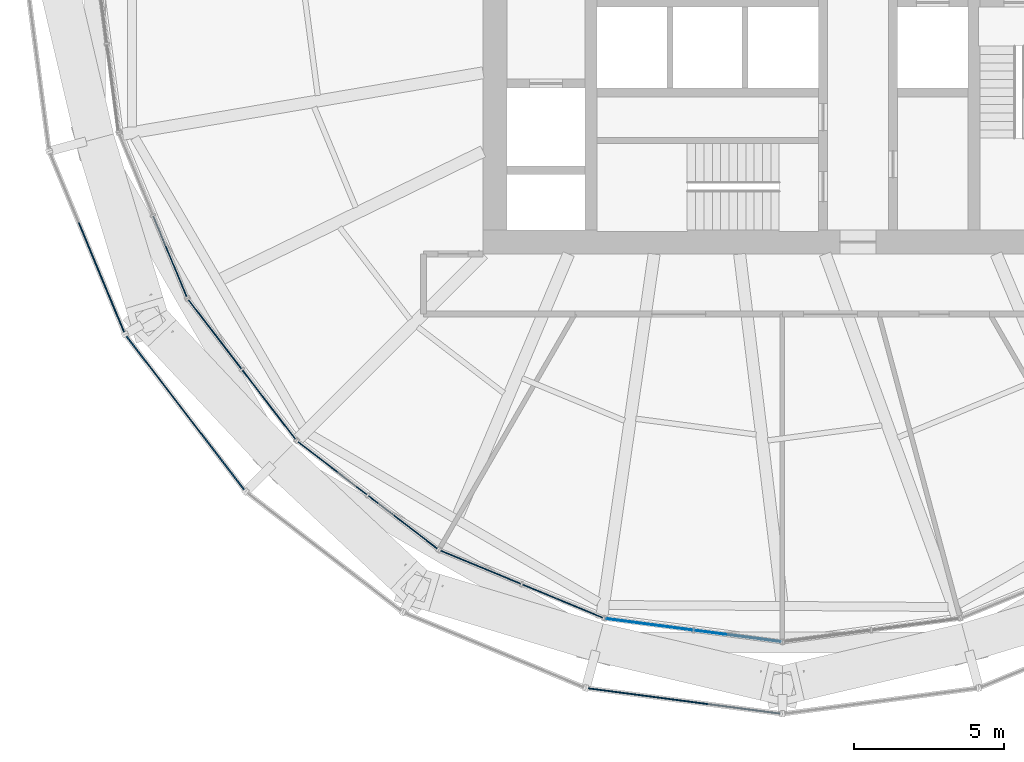
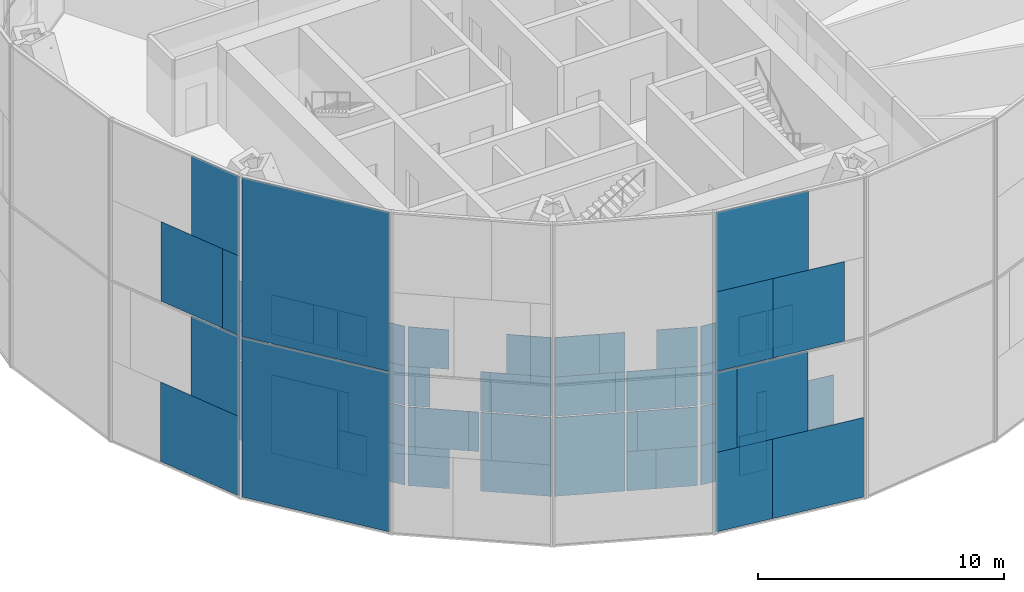
# One storey, part 10 of 22: 62 plates, 8 elements without a shape of their own.
"""IFC4 building model written with IfcOpenShell, lengths in metres."""

from ifc_helpers import new_model, si_unit, direction, frame, origin, origin_2d, place, context, subcontext, project, spatial, rectangle, extrude, material, layer, layer_set, type_object, element, aggregate, save


model = new_model("IFC4")

# Units and contexts
model_context = context("Model", 3, precision=1e-05, world=origin(), true_north=direction((0.0, 1.0)))
body_context = subcontext(model_context, "Body", "Model", "MODEL_VIEW")
ifc_project = project(units=[si_unit("LENGTHUNIT", "METRE"), si_unit("AREAUNIT", "SQUARE_METRE"), si_unit("VOLUMEUNIT", "CUBIC_METRE"), si_unit("PLANEANGLEUNIT", "RADIAN"), si_unit("MASSUNIT", "GRAM", prefix="KILO")], contexts=[model_context])

# Site, building, storey
site_placement = place(None, origin())
site = spatial("IfcSite", under=ifc_project, at=site_placement, CompositionType="ELEMENT")
building_placement = place(site_placement, origin())
building = spatial("IfcBuilding", under=site, at=building_placement, Name="Golbaran Civic Tower", CompositionType="ELEMENT")
storey_placement = place(building_placement, frame((0.0, 0.0, 37.0)))
storey = spatial("IfcBuildingStorey", under=building, at=storey_placement, Name="L08", CompositionType="ELEMENT", Elevation=37.0)

# Curtain wall, plates
ifc_material_1 = material(Name="Aluminium and glass", Category="aluminium")
curtain_wall_type_1 = type_object("IfcCurtainWallType", Name="INNER SKIN CURTAIN WALL", PredefinedType="NOTDEFINED", material=ifc_material_1)
curtain_wall_1_placement = place(storey_placement, origin())
curtain_wall_1 = element("IfcCurtainWall", 1, at=curtain_wall_1_placement, inside=storey, type_object=curtain_wall_type_1, Name="Inner skin L08 facet 14 CW1", ObjectType="INNER SKIN", PredefinedType="USERDEFINED")
ifc_material_2 = material(Name="Clear insulating glass", Category="glass")
ifc_layer_1 = layer(ifc_material_2, 0.031982421875, Name="Clear insulating glass")
ifc_layer_set_1 = layer_set([ifc_layer_1], Name="Clear insulating glass")
plate_type_1 = type_object("IfcPlateType", Name="INNER SKIN CURTAIN WALL GLAZED PANEL", PredefinedType="CURTAIN_PANEL", material=ifc_layer_set_1)
plate_1_placement = place(storey_placement, frame((-20.464599609375, -10.0810546875, 0.06494140625), z_axis=(0.0, 0.0, 1.0), x_axis=(0.382683432365, -0.923879532511, 0.0)))
plate_1 = element("IfcPlate", 2, at=plate_1_placement, type_object=plate_type_1, Name="CW1 panel 2.1", PredefinedType="CURTAIN_PANEL", context=body_context, shape_type="SweptSolid", body=[
    extrude(rectangle(XDim=2.8994140625, YDim=0.031982421875, at=origin_2d()), origin(), (0.0, 0.0, 1.0), 3.902587890625),
])
plate_2_placement = place(storey_placement, frame((-20.3876953125, -10.266357421875, 4.032470703125), z_axis=(0.0, 0.0, 1.0), x_axis=(0.382683432365, -0.923879532511, 0.0)))
plate_2 = element("IfcPlate", 3, at=plate_2_placement, type_object=plate_type_1, Name="CW1 panel 2.2 part 2", PredefinedType="CURTAIN_PANEL", context=body_context, shape_type="SweptSolid", body=[
    extrude(rectangle(XDim=2.49853515625, YDim=0.031982421875, at=origin_2d()), origin(), (0.0, 0.0, 1.0), 1.951171875),
])
plate_3_placement = place(storey_placement, frame((-20.260986328125, -10.572021484375, 5.98388671875), z_axis=(0.0, 0.0, 1.0), x_axis=(0.382683432365, -0.923879532511, 0.0)))
plate_3 = element("IfcPlate", 4, at=plate_3_placement, type_object=plate_type_1, Name="CW1 panel 2.2 part 4", PredefinedType="CURTAIN_PANEL", context=body_context, shape_type="SweptSolid", body=[
    extrude(rectangle(XDim=1.83642578125, YDim=0.031982421875, at=origin_2d()), origin(), (0.0, 0.0, 1.0), 1.951171875),
])
aggregate(curtain_wall_1, [plate_1, plate_2, plate_3])

curtain_wall_2_placement = place(storey_placement, origin())
curtain_wall_2 = element("IfcCurtainWall", 5, at=curtain_wall_2_placement, inside=storey, type_object=curtain_wall_type_1, Name="Inner skin L08 facet 15 CW1", ObjectType="INNER SKIN", PredefinedType="USERDEFINED")
plate_4_placement = place(storey_placement, frame((-18.962646484375, -12.68212890625, 0.06494140625), z_axis=(0.0, 0.0, 1.0), x_axis=(0.608761428939, -0.793353340344, 0.0)))
plate_4 = element("IfcPlate", 6, at=plate_4_placement, type_object=plate_type_1, Name="CW1 panel 1.1", PredefinedType="CURTAIN_PANEL", context=body_context, shape_type="SweptSolid", body=[
    extrude(rectangle(XDim=2.8994140625, YDim=0.031982421875, at=origin_2d()), origin(), (0.0, 0.0, 1.0), 3.902587890625),
])
plate_5_placement = place(storey_placement, frame((-19.0849609375, -12.52294921875, 4.032470703125), z_axis=(0.0, 0.0, 1.0), x_axis=(0.608761428939, -0.793353340344, 0.0)))
plate_5 = element("IfcPlate", 7, at=plate_5_placement, type_object=plate_type_1, Name="CW1 panel 1.2 part 1", PredefinedType="CURTAIN_PANEL", context=body_context, shape_type="SweptSolid", body=[
    extrude(rectangle(XDim=2.498046875, YDim=0.031982421875, at=origin_2d()), origin(), (0.0, 0.0, 1.0), 1.951171875),
])
plate_6_placement = place(storey_placement, frame((-19.2861328125, -12.2607421875, 5.98388671875), z_axis=(0.0, 0.0, 1.0), x_axis=(0.608761428939, -0.793353340344, 0.0)))
plate_6 = element("IfcPlate", 8, at=plate_6_placement, type_object=plate_type_1, Name="CW1 panel 1.2 part 3", PredefinedType="CURTAIN_PANEL", context=body_context, shape_type="SweptSolid", body=[
    extrude(rectangle(XDim=1.8369140625, YDim=0.031982421875, at=origin_2d()), origin(), (0.0, 0.0, 1.0), 1.951171875),
])
plate_7_placement = place(storey_placement, frame((-17.67529296875, -14.360107421875, 0.06494140625), z_axis=(0.0, 0.0, 1.0), x_axis=(0.608761428939, -0.793353340344, 0.0)))
plate_7 = element("IfcPlate", 9, at=plate_7_placement, type_object=plate_type_1, Name="CW1 panel 2.1 part 1", PredefinedType="CURTAIN_PANEL", context=body_context, shape_type="SweptSolid", body=[
    extrude(rectangle(XDim=1.199951171875, YDim=0.031982421875, at=origin_2d()), origin(), (0.0, 0.0, 1.0), 1.951171875),
])
plate_8_placement = place(storey_placement, frame((-17.9091796875, -14.055419921875, 2.016357421875), z_axis=(0.0, 0.0, 1.0), x_axis=(0.608761428939, -0.793353340344, 0.0)))
plate_8 = element("IfcPlate", 10, at=plate_8_placement, type_object=plate_type_1, Name="CW1 panel 2.1 part 3", PredefinedType="CURTAIN_PANEL", context=body_context, shape_type="SweptSolid", body=[
    extrude(rectangle(XDim=0.431884765625, YDim=0.031982421875, at=origin_2d()), origin(), (0.0, 0.0, 1.0), 1.951171875),
])
plate_9_placement = place(storey_placement, frame((-16.54931640625, -15.827392578125, 4.032470703125), z_axis=(0.0, 0.0, 1.0), x_axis=(0.608761428939, -0.793353340344, 0.0)))
plate_9 = element("IfcPlate", 11, at=plate_9_placement, type_object=plate_type_1, Name="CW1 panel 2.2 part 2", PredefinedType="CURTAIN_PANEL", context=body_context, shape_type="SweptSolid", body=[
    extrude(rectangle(XDim=0.8994140625, YDim=0.031982421875, at=origin_2d()), origin(), (0.0, 0.0, 1.0), 1.951171875),
])
plate_10_placement = place(storey_placement, frame((-16.78515625, -15.52001953125, 5.98388671875), z_axis=(0.0, 0.0, 1.0), x_axis=(0.608761428939, -0.793353340344, 0.0)))
plate_10 = element("IfcPlate", 12, at=plate_10_placement, type_object=plate_type_1, Name="CW1 panel 2.2 part 4", PredefinedType="CURTAIN_PANEL", context=body_context, shape_type="SweptSolid", body=[
    extrude(rectangle(XDim=1.674560546875, YDim=0.031982421875, at=origin_2d()), origin(), (0.0, 0.0, 1.0), 1.951171875),
])

curtain_wall_3_placement = place(storey_placement, origin())
curtain_wall_3 = element("IfcCurtainWall", 13, at=curtain_wall_3_placement, inside=storey, type_object=curtain_wall_type_1, Name="Inner skin L08 facet 16 CW1", ObjectType="INNER SKIN", PredefinedType="USERDEFINED")
plate_11_placement = place(storey_placement, frame((-14.055419921875, -17.908935546875, 2.016357421875), z_axis=(0.0, 0.0, 1.0), x_axis=(0.793353340344, -0.608761428939, 0.0)))
plate_11 = element("IfcPlate", 14, at=plate_11_placement, type_object=plate_type_1, Name="CW1 panel 1.1 part 4", PredefinedType="CURTAIN_PANEL", context=body_context, shape_type="SweptSolid", body=[
    extrude(rectangle(XDim=0.4326171875, YDim=0.031982421875, at=origin_2d()), origin(), (0.0, 0.0, 1.0), 1.951171875),
])
plate_12_placement = place(storey_placement, frame((-15.827392578125, -16.54931640625, 4.032470703125), z_axis=(0.0, 0.0, 1.0), x_axis=(0.793353340344, -0.608761428939, 0.0)))
plate_12 = element("IfcPlate", 15, at=plate_12_placement, type_object=plate_type_1, Name="CW1 panel 1.2 part 1", PredefinedType="CURTAIN_PANEL", context=body_context, shape_type="SweptSolid", body=[
    extrude(rectangle(XDim=0.89990234375, YDim=0.031982421875, at=origin_2d()), origin(), (0.0, 0.0, 1.0), 1.951171875),
])
plate_13_placement = place(storey_placement, frame((-15.519775390625, -16.785400390625, 5.98388671875), z_axis=(0.0, 0.0, 1.0), x_axis=(0.793353340344, -0.608761428939, 0.0)))
plate_13 = element("IfcPlate", 16, at=plate_13_placement, type_object=plate_type_1, Name="CW1 panel 1.2 part 3", PredefinedType="CURTAIN_PANEL", context=body_context, shape_type="SweptSolid", body=[
    extrude(rectangle(XDim=1.675048828125, YDim=0.031982421875, at=origin_2d()), origin(), (0.0, 0.0, 1.0), 1.951171875),
])
plate_14_placement = place(storey_placement, frame((-12.68212890625, -18.962646484375, 0.06494140625), z_axis=(0.0, 0.0, 1.0), x_axis=(0.793353340344, -0.608761428939, 0.0)))
plate_14 = element("IfcPlate", 17, at=plate_14_placement, type_object=plate_type_1, Name="CW1 panel 2.1", PredefinedType="CURTAIN_PANEL", context=body_context, shape_type="SweptSolid", body=[
    extrude(rectangle(XDim=2.8994140625, YDim=0.031982421875, at=origin_2d()), origin(), (0.0, 0.0, 1.0), 3.902587890625),
])
plate_15_placement = place(storey_placement, frame((-12.523193359375, -19.084716796875, 4.032470703125), z_axis=(0.0, 0.0, 1.0), x_axis=(0.793353340344, -0.608761428939, 0.0)))
plate_15 = element("IfcPlate", 18, at=plate_15_placement, type_object=plate_type_1, Name="CW1 panel 2.2 part 2", PredefinedType="CURTAIN_PANEL", context=body_context, shape_type="SweptSolid", body=[
    extrude(rectangle(XDim=2.49853515625, YDim=0.031982421875, at=origin_2d()), origin(), (0.0, 0.0, 1.0), 1.951171875),
])
plate_16_placement = place(storey_placement, frame((-12.260498046875, -19.2861328125, 5.98388671875), z_axis=(0.0, 0.0, 1.0), x_axis=(0.793353340344, -0.608761428939, 0.0)))
plate_16 = element("IfcPlate", 19, at=plate_16_placement, type_object=plate_type_1, Name="CW1 panel 2.2 part 4", PredefinedType="CURTAIN_PANEL", context=body_context, shape_type="SweptSolid", body=[
    extrude(rectangle(XDim=1.83642578125, YDim=0.031982421875, at=origin_2d()), origin(), (0.0, 0.0, 1.0), 1.951171875),
])

curtain_wall_4_placement = place(storey_placement, origin())
curtain_wall_4 = element("IfcCurtainWall", 20, at=curtain_wall_4_placement, inside=storey, type_object=curtain_wall_type_1, Name="Inner skin L08 facet 17 CW1", ObjectType="INNER SKIN", PredefinedType="USERDEFINED")
plate_17_placement = place(storey_placement, frame((-10.0810546875, -20.464599609375, 0.06494140625), z_axis=(0.0, 0.0, 1.0), x_axis=(0.923879532511, -0.382683432365, 0.0)))
plate_17 = element("IfcPlate", 21, at=plate_17_placement, type_object=plate_type_1, Name="CW1 panel 1.1", PredefinedType="CURTAIN_PANEL", context=body_context, shape_type="SweptSolid", body=[
    extrude(rectangle(XDim=2.8994140625, YDim=0.031982421875, at=origin_2d()), origin(), (0.0, 0.0, 1.0), 3.902587890625),
])
plate_18_placement = place(storey_placement, frame((-10.2666015625, -20.3876953125, 4.032470703125), z_axis=(0.0, 0.0, 1.0), x_axis=(0.923879532511, -0.382683432365, 0.0)))
plate_18 = element("IfcPlate", 22, at=plate_18_placement, type_object=plate_type_1, Name="CW1 panel 1.2 part 1", PredefinedType="CURTAIN_PANEL", context=body_context, shape_type="SweptSolid", body=[
    extrude(rectangle(XDim=2.498046875, YDim=0.031982421875, at=origin_2d()), origin(), (0.0, 0.0, 1.0), 1.951171875),
])
plate_19_placement = place(storey_placement, frame((-10.57177734375, -20.26123046875, 5.98388671875), z_axis=(0.0, 0.0, 1.0), x_axis=(0.923879532511, -0.382683432365, 0.0)))
plate_19 = element("IfcPlate", 23, at=plate_19_placement, type_object=plate_type_1, Name="CW1 panel 1.2 part 3", PredefinedType="CURTAIN_PANEL", context=body_context, shape_type="SweptSolid", body=[
    extrude(rectangle(XDim=1.8369140625, YDim=0.031982421875, at=origin_2d()), origin(), (0.0, 0.0, 1.0), 1.951171875),
])
plate_20_placement = place(storey_placement, frame((-8.127197265625, -21.273681640625, 0.06494140625), z_axis=(0.0, 0.0, 1.0), x_axis=(0.923879532511, -0.382683432365, 0.0)))
plate_20 = element("IfcPlate", 24, at=plate_20_placement, type_object=plate_type_1, Name="CW1 panel 2.1 part 1", PredefinedType="CURTAIN_PANEL", context=body_context, shape_type="SweptSolid", body=[
    extrude(rectangle(XDim=1.199951171875, YDim=0.031982421875, at=origin_2d()), origin(), (0.0, 0.0, 1.0), 1.951171875),
])
plate_21_placement = place(storey_placement, frame((-8.48193359375, -21.126708984375, 2.016357421875), z_axis=(0.0, 0.0, 1.0), x_axis=(0.923879532511, -0.382683432365, 0.0)))
plate_21 = element("IfcPlate", 25, at=plate_21_placement, type_object=plate_type_1, Name="CW1 panel 2.1 part 3", PredefinedType="CURTAIN_PANEL", context=body_context, shape_type="SweptSolid", body=[
    extrude(rectangle(XDim=0.431884765625, YDim=0.031982421875, at=origin_2d()), origin(), (0.0, 0.0, 1.0), 1.951171875),
])
plate_22_placement = place(storey_placement, frame((-6.418212890625, -21.981689453125, 4.032470703125), z_axis=(0.0, 0.0, 1.0), x_axis=(0.923879532511, -0.382683432365, 0.0)))
plate_22 = element("IfcPlate", 26, at=plate_22_placement, type_object=plate_type_1, Name="CW1 panel 2.2 part 2", PredefinedType="CURTAIN_PANEL", context=body_context, shape_type="SweptSolid", body=[
    extrude(rectangle(XDim=0.8994140625, YDim=0.031982421875, at=origin_2d()), origin(), (0.0, 0.0, 1.0), 1.951171875),
])
plate_23_placement = place(storey_placement, frame((-6.7763671875, -21.833251953125, 5.98388671875), z_axis=(0.0, 0.0, 1.0), x_axis=(0.923879532511, -0.382683432365, 0.0)))
plate_23 = element("IfcPlate", 27, at=plate_23_placement, type_object=plate_type_1, Name="CW1 panel 2.2 part 4", PredefinedType="CURTAIN_PANEL", context=body_context, shape_type="SweptSolid", body=[
    extrude(rectangle(XDim=1.674560546875, YDim=0.031982421875, at=origin_2d()), origin(), (0.0, 0.0, 1.0), 1.951171875),
])

curtain_wall_5_placement = place(storey_placement, origin())
curtain_wall_5 = element("IfcCurtainWall", 28, at=curtain_wall_5_placement, inside=storey, type_object=curtain_wall_type_1, Name="Inner skin L08 facet 18 CW1", ObjectType="INNER SKIN", PredefinedType="USERDEFINED")
plate_24_placement = place(storey_placement, frame((-3.59814453125, -22.4873046875, 0.06494140625), z_axis=(0.0, 0.0, 1.0), x_axis=(0.991444861365, -0.130526192289, 0.0)))
plate_24 = element("IfcPlate", 29, at=plate_24_placement, type_object=plate_type_1, Name="CW1 panel 1.1 part 2", PredefinedType="CURTAIN_PANEL", context=body_context, shape_type="SweptSolid", body=[
    extrude(rectangle(XDim=1.199462890625, YDim=0.031982421875, at=origin_2d()), origin(), (0.0, 0.0, 1.0), 1.951171875),
])
plate_25_placement = place(storey_placement, frame((-3.218017578125, -22.537353515625, 2.016357421875), z_axis=(0.0, 0.0, 1.0), x_axis=(0.991444861365, -0.130526192289, 0.0)))
plate_25 = element("IfcPlate", 30, at=plate_25_placement, type_object=plate_type_1, Name="CW1 panel 1.1 part 4", PredefinedType="CURTAIN_PANEL", context=body_context, shape_type="SweptSolid", body=[
    extrude(rectangle(XDim=0.4326171875, YDim=0.031982421875, at=origin_2d()), origin(), (0.0, 0.0, 1.0), 1.951171875),
])
plate_26_placement = place(storey_placement, frame((-5.43212890625, -22.245849609375, 4.032470703125), z_axis=(0.0, 0.0, 1.0), x_axis=(0.991444861365, -0.130526192289, 0.0)))
plate_26 = element("IfcPlate", 31, at=plate_26_placement, type_object=plate_type_1, Name="CW1 panel 1.2 part 1", PredefinedType="CURTAIN_PANEL", context=body_context, shape_type="SweptSolid", body=[
    extrude(rectangle(XDim=0.89990234375, YDim=0.031982421875, at=origin_2d()), origin(), (0.0, 0.0, 1.0), 1.951171875),
])
plate_27_placement = place(storey_placement, frame((-5.0478515625, -22.29638671875, 5.98388671875), z_axis=(0.0, 0.0, 1.0), x_axis=(0.991444861365, -0.130526192289, 0.0)))
plate_27 = element("IfcPlate", 32, at=plate_27_placement, type_object=plate_type_1, Name="CW1 panel 1.2 part 3", PredefinedType="CURTAIN_PANEL", context=body_context, shape_type="SweptSolid", body=[
    extrude(rectangle(XDim=1.675048828125, YDim=0.031982421875, at=origin_2d()), origin(), (0.0, 0.0, 1.0), 1.951171875),
])
plate_28_placement = place(storey_placement, frame((-1.501708984375, -22.76318359375, 0.06494140625), z_axis=(0.0, 0.0, 1.0), x_axis=(0.991444861365, -0.130526192289, 0.0)))
plate_28 = element("IfcPlate", 33, at=plate_28_placement, type_object=plate_type_1, Name="CW1 panel 2.1", PredefinedType="CURTAIN_PANEL", context=body_context, shape_type="SweptSolid", body=[
    extrude(rectangle(XDim=2.8994140625, YDim=0.031982421875, at=origin_2d()), origin(), (0.0, 0.0, 1.0), 3.902587890625),
])

# Plate
ifc_material_3 = material(Name="Aluminium faced opaque infill panel", Category="aluminium")
ifc_layer_2 = layer(ifc_material_3, 0.031982421875, Name="Aluminium faced opaque infill panel")
ifc_layer_set_2 = layer_set([ifc_layer_2], Name="Aluminium faced opaque infill panel")
plate_type_2 = type_object("IfcPlateType", Name="INNER SKIN CURTAIN WALL OPAQUE INFILL PANEL", PredefinedType="CURTAIN_PANEL", material=ifc_layer_set_2)
plate_29_placement = place(storey_placement, frame((-18.202392578125, -13.673095703125, 4.032470703125), z_axis=(0.0, 0.0, 1.0), x_axis=(0.608761428939, -0.793353340344, 0.0)))
plate_29 = element("IfcPlate", 34, at=plate_29_placement, type_object=plate_type_2, Name="CW1 infill panel 1.2 part 2", PredefinedType="CURTAIN_PANEL", context=body_context, shape_type="SweptSolid", body=[
    extrude(rectangle(XDim=0.401611328125, YDim=0.031982421875, at=origin_2d()), origin(), (0.0, 0.0, 1.0), 1.951171875),
])

plate_30_placement = place(storey_placement, frame((-18.403564453125, -13.410888671875, 5.98388671875), z_axis=(0.0, 0.0, 1.0), x_axis=(0.608761428939, -0.793353340344, 0.0)))
plate_30 = element("IfcPlate", 35, at=plate_30_placement, type_object=plate_type_2, Name="CW1 infill panel 1.2 part 4", PredefinedType="CURTAIN_PANEL", context=body_context, shape_type="SweptSolid", body=[
    extrude(rectangle(XDim=1.0625, YDim=0.031982421875, at=origin_2d()), origin(), (0.0, 0.0, 1.0), 1.951171875),
])

plate_31_placement = place(storey_placement, frame((-16.792724609375, -15.51025390625, 0.06494140625), z_axis=(0.0, 0.0, 1.0), x_axis=(0.608761428939, -0.793353340344, 0.0)))
plate_31 = element("IfcPlate", 36, at=plate_31_placement, type_object=plate_type_2, Name="CW1 infill panel 2.1 part 2", PredefinedType="CURTAIN_PANEL", context=body_context, shape_type="SweptSolid", body=[
    extrude(rectangle(XDim=1.699462890625, YDim=0.031982421875, at=origin_2d()), origin(), (0.0, 0.0, 1.0), 1.951171875),
])

plate_32_placement = place(storey_placement, frame((-17.026611328125, -15.20556640625, 2.016357421875), z_axis=(0.0, 0.0, 1.0), x_axis=(0.608761428939, -0.793353340344, 0.0)))
plate_32 = element("IfcPlate", 37, at=plate_32_placement, type_object=plate_type_2, Name="CW1 infill panel 2.1 part 4", PredefinedType="CURTAIN_PANEL", context=body_context, shape_type="SweptSolid", body=[
    extrude(rectangle(XDim=2.467529296875, YDim=0.031982421875, at=origin_2d()), origin(), (0.0, 0.0, 1.0), 1.951171875),
])

plate_33_placement = place(storey_placement, frame((-17.431884765625, -14.67724609375, 4.032470703125), z_axis=(0.0, 0.0, 1.0), x_axis=(0.608761428939, -0.793353340344, 0.0)))
plate_33 = element("IfcPlate", 38, at=plate_33_placement, type_object=plate_type_2, Name="CW1 infill panel 2.2 part 1", PredefinedType="CURTAIN_PANEL", context=body_context, shape_type="SweptSolid", body=[
    extrude(rectangle(XDim=2.0, YDim=0.031982421875, at=origin_2d()), origin(), (0.0, 0.0, 1.0), 1.951171875),
])

plate_34_placement = place(storey_placement, frame((-17.667724609375, -14.369873046875, 5.98388671875), z_axis=(0.0, 0.0, 1.0), x_axis=(0.608761428939, -0.793353340344, 0.0)))
plate_34 = element("IfcPlate", 39, at=plate_34_placement, type_object=plate_type_2, Name="CW1 infill panel 2.2 part 3", PredefinedType="CURTAIN_PANEL", context=body_context, shape_type="SweptSolid", body=[
    extrude(rectangle(XDim=1.22509765625, YDim=0.031982421875, at=origin_2d()), origin(), (0.0, 0.0, 1.0), 1.951171875),
])

aggregate(curtain_wall_2, [plate_4, plate_5, plate_29, plate_6, plate_30, plate_7, plate_31, plate_8, plate_32, plate_33, plate_9, plate_34, plate_10])

plate_35_placement = place(storey_placement, frame((-15.510009765625, -16.79296875, 0.06494140625), z_axis=(0.0, 0.0, 1.0), x_axis=(0.793353340344, -0.608761428939, 0.0)))
plate_35 = element("IfcPlate", 40, at=plate_35_placement, type_object=plate_type_2, Name="CW1 infill panel 1.1 part 1", PredefinedType="CURTAIN_PANEL", context=body_context, shape_type="SweptSolid", body=[
    extrude(rectangle(XDim=1.699951171875, YDim=0.031982421875, at=origin_2d()), origin(), (0.0, 0.0, 1.0), 1.951171875),
])

plate_36_placement = place(storey_placement, frame((-15.205810546875, -17.0263671875, 2.016357421875), z_axis=(0.0, 0.0, 1.0), x_axis=(0.793353340344, -0.608761428939, 0.0)))
plate_36 = element("IfcPlate", 41, at=plate_36_placement, type_object=plate_type_2, Name="CW1 infill panel 1.1 part 3", PredefinedType="CURTAIN_PANEL", context=body_context, shape_type="SweptSolid", body=[
    extrude(rectangle(XDim=2.467041015625, YDim=0.031982421875, at=origin_2d()), origin(), (0.0, 0.0, 1.0), 1.951171875),
])

plate_37_placement = place(storey_placement, frame((-13.67333984375, -18.2021484375, 4.032470703125), z_axis=(0.0, 0.0, 1.0), x_axis=(0.793353340344, -0.608761428939, 0.0)))
plate_37 = element("IfcPlate", 42, at=plate_37_placement, type_object=plate_type_2, Name="CW1 infill panel 2.2 part 1", PredefinedType="CURTAIN_PANEL", context=body_context, shape_type="SweptSolid", body=[
    extrude(rectangle(XDim=0.40087890625, YDim=0.031982421875, at=origin_2d()), origin(), (0.0, 0.0, 1.0), 1.951171875),
])

aggregate(curtain_wall_3, [plate_35, plate_36, plate_11, plate_12, plate_13, plate_14, plate_37, plate_15, plate_16])

plate_38_placement = place(storey_placement, frame((-8.927001953125, -20.9423828125, 4.032470703125), z_axis=(0.0, 0.0, 1.0), x_axis=(0.923879532511, -0.382683432365, 0.0)))
plate_38 = element("IfcPlate", 43, at=plate_38_placement, type_object=plate_type_2, Name="CW1 infill panel 1.2 part 2", PredefinedType="CURTAIN_PANEL", context=body_context, shape_type="SweptSolid", body=[
    extrude(rectangle(XDim=0.401611328125, YDim=0.031982421875, at=origin_2d()), origin(), (0.0, 0.0, 1.0), 1.951171875),
])

plate_39_placement = place(storey_placement, frame((-9.232421875, -20.81591796875, 5.98388671875), z_axis=(0.0, 0.0, 1.0), x_axis=(0.923879532511, -0.382683432365, 0.0)))
plate_39 = element("IfcPlate", 44, at=plate_39_placement, type_object=plate_type_2, Name="CW1 infill panel 1.2 part 4", PredefinedType="CURTAIN_PANEL", context=body_context, shape_type="SweptSolid", body=[
    extrude(rectangle(XDim=1.0625, YDim=0.031982421875, at=origin_2d()), origin(), (0.0, 0.0, 1.0), 1.951171875),
])

plate_40_placement = place(storey_placement, frame((-6.787841796875, -21.82861328125, 0.06494140625), z_axis=(0.0, 0.0, 1.0), x_axis=(0.923879532511, -0.382683432365, 0.0)))
plate_40 = element("IfcPlate", 45, at=plate_40_placement, type_object=plate_type_2, Name="CW1 infill panel 2.1 part 2", PredefinedType="CURTAIN_PANEL", context=body_context, shape_type="SweptSolid", body=[
    extrude(rectangle(XDim=1.699462890625, YDim=0.031982421875, at=origin_2d()), origin(), (0.0, 0.0, 1.0), 1.951171875),
])

plate_41_placement = place(storey_placement, frame((-7.142578125, -21.681640625, 2.016357421875), z_axis=(0.0, 0.0, 1.0), x_axis=(0.923879532511, -0.382683432365, 0.0)))
plate_41 = element("IfcPlate", 46, at=plate_41_placement, type_object=plate_type_2, Name="CW1 infill panel 2.1 part 4", PredefinedType="CURTAIN_PANEL", context=body_context, shape_type="SweptSolid", body=[
    extrude(rectangle(XDim=2.467529296875, YDim=0.031982421875, at=origin_2d()), origin(), (0.0, 0.0, 1.0), 1.951171875),
])

plate_42_placement = place(storey_placement, frame((-7.7578125, -21.4267578125, 4.032470703125), z_axis=(0.0, 0.0, 1.0), x_axis=(0.923879532511, -0.382683432365, 0.0)))
plate_42 = element("IfcPlate", 47, at=plate_42_placement, type_object=plate_type_2, Name="CW1 infill panel 2.2 part 1", PredefinedType="CURTAIN_PANEL", context=body_context, shape_type="SweptSolid", body=[
    extrude(rectangle(XDim=2.0, YDim=0.031982421875, at=origin_2d()), origin(), (0.0, 0.0, 1.0), 1.951171875),
])

aggregate(curtain_wall_4, [plate_17, plate_18, plate_38, plate_19, plate_39, plate_20, plate_40, plate_21, plate_41, plate_42, plate_22, plate_23])

plate_43_placement = place(storey_placement, frame((-5.03564453125, -22.298095703125, 0.06494140625), z_axis=(0.0, 0.0, 1.0), x_axis=(0.991444861365, -0.130526192289, 0.0)))
plate_43 = element("IfcPlate", 48, at=plate_43_placement, type_object=plate_type_2, Name="CW1 infill panel 1.1 part 1", PredefinedType="CURTAIN_PANEL", context=body_context, shape_type="SweptSolid", body=[
    extrude(rectangle(XDim=1.699951171875, YDim=0.031982421875, at=origin_2d()), origin(), (0.0, 0.0, 1.0), 1.951171875),
])

plate_44_placement = place(storey_placement, frame((-4.6552734375, -22.34814453125, 2.016357421875), z_axis=(0.0, 0.0, 1.0), x_axis=(0.991444861365, -0.130526192289, 0.0)))
plate_44 = element("IfcPlate", 49, at=plate_44_placement, type_object=plate_type_2, Name="CW1 infill panel 1.1 part 3", PredefinedType="CURTAIN_PANEL", context=body_context, shape_type="SweptSolid", body=[
    extrude(rectangle(XDim=2.467041015625, YDim=0.031982421875, at=origin_2d()), origin(), (0.0, 0.0, 1.0), 1.951171875),
])

plate_45_placement = place(storey_placement, frame((-3.994873046875, -22.43505859375, 4.032470703125), z_axis=(0.0, 0.0, 1.0), x_axis=(0.991444861365, -0.130526192289, 0.0)))
plate_45 = element("IfcPlate", 50, at=plate_45_placement, type_object=plate_type_2, Name="CW1 infill panel 1.2 part 2", PredefinedType="CURTAIN_PANEL", context=body_context, shape_type="SweptSolid", body=[
    extrude(rectangle(XDim=1.99951171875, YDim=0.031982421875, at=origin_2d()), origin(), (0.0, 0.0, 1.0), 1.951171875),
])

plate_46_placement = place(storey_placement, frame((-3.610595703125, -22.485595703125, 5.98388671875), z_axis=(0.0, 0.0, 1.0), x_axis=(0.991444861365, -0.130526192289, 0.0)))
plate_46 = element("IfcPlate", 51, at=plate_46_placement, type_object=plate_type_2, Name="CW1 infill panel 1.2 part 4", PredefinedType="CURTAIN_PANEL", context=body_context, shape_type="SweptSolid", body=[
    extrude(rectangle(XDim=1.224609375, YDim=0.031982421875, at=origin_2d()), origin(), (0.0, 0.0, 1.0), 1.951171875),
])

plate_47_placement = place(storey_placement, frame((-2.740478515625, -22.600341796875, 4.032470703125), z_axis=(0.0, 0.0, 1.0), x_axis=(0.991444861365, -0.130526192289, 0.0)))
plate_47 = element("IfcPlate", 52, at=plate_47_placement, type_object=plate_type_2, Name="CW1 infill panel 2.2 part 1", PredefinedType="CURTAIN_PANEL", context=body_context, shape_type="SweptSolid", body=[
    extrude(rectangle(XDim=0.40087890625, YDim=0.031982421875, at=origin_2d()), origin(), (0.0, 0.0, 1.0), 1.951171875),
])

plate_48_placement = place(storey_placement, frame((-2.412109375, -22.643310546875, 5.98388671875), z_axis=(0.0, 0.0, 1.0), x_axis=(0.991444861365, -0.130526192289, 0.0)))
plate_48 = element("IfcPlate", 53, at=plate_48_placement, type_object=plate_type_2, Name="CW1 infill panel 2.2 part 3", PredefinedType="CURTAIN_PANEL", context=body_context, shape_type="SweptSolid", body=[
    extrude(rectangle(XDim=1.06298828125, YDim=0.031982421875, at=origin_2d()), origin(), (0.0, 0.0, 1.0), 1.951171875),
])

aggregate(curtain_wall_5, [plate_43, plate_24, plate_44, plate_25, plate_26, plate_45, plate_27, plate_46, plate_28, plate_47, plate_48])

# Curtain wall, plates
curtain_wall_type_2 = type_object("IfcCurtainWallType", Name="OUTER SKIN TERRACOTTA SCREEN", PredefinedType="NOTDEFINED", material=ifc_material_1)
curtain_wall_6_placement = place(storey_placement, origin())
curtain_wall_6 = element("IfcCurtainWall", 54, at=curtain_wall_6_placement, inside=storey, type_object=curtain_wall_type_2, Name="Outer skin L08 facet 14 CW3", ObjectType="OUTER SKIN", PredefinedType="USERDEFINED")
ifc_material_4 = material(Name="Clear laminated glass", Category="glass")
ifc_layer_3 = layer(ifc_material_4, 0.0400390625, Name="Clear laminated glass")
ifc_layer_set_3 = layer_set([ifc_layer_3], Name="Clear laminated glass")
plate_type_3 = type_object("IfcPlateType", Name="OUTER SKIN CLEAR GLASS PANEL", PredefinedType="CURTAIN_PANEL", material=ifc_layer_set_3)
plate_49_placement = place(storey_placement, frame((-22.76416015625, -10.760009765625, -0.6298828125), z_axis=(0.0, 0.0, 1.0), x_axis=(0.382683432462, -0.923879532471, 0.0)))
plate_49 = element("IfcPlate", 55, at=plate_49_placement, type_object=plate_type_3, Name="CW3 panel 1.1 part 2", PredefinedType="CURTAIN_PANEL", context=body_context, shape_type="SweptSolid", body=[
    extrude(rectangle(XDim=4.0029296875, YDim=0.0400390625, at=origin_2d()), origin(), (0.0, 0.0, 1.0), 3.93994140625),
])
plate_50_placement = place(storey_placement, frame((-22.46484375, -11.482421875, 3.31005859375), z_axis=(0.0, 0.0, 1.0), x_axis=(0.382683432462, -0.923879532471, 0.0)))
plate_50 = element("IfcPlate", 56, at=plate_50_placement, type_object=plate_type_3, Name="CW3 panel 1.1 part 5", PredefinedType="CURTAIN_PANEL", context=body_context, shape_type="SweptSolid", body=[
    extrude(rectangle(XDim=2.43896484375, YDim=0.0400390625, at=origin_2d()), origin(), (0.0, 0.0, 1.0), 3.93994140625),
])
plate_51_placement = place(storey_placement, frame((-22.1591796875, -12.22021484375, 7.330078125), z_axis=(0.0, 0.0, 1.0), x_axis=(0.382683432462, -0.923879532471, 0.0)))
plate_51 = element("IfcPlate", 57, at=plate_51_placement, type_object=plate_type_3, Name="CW3 panel 1.2 part 3", PredefinedType="CURTAIN_PANEL", context=body_context, shape_type="SweptSolid", body=[
    extrude(rectangle(XDim=0.841796875, YDim=0.0400390625, at=origin_2d()), origin(), (0.0, 0.0, 1.0), 3.93994140625),
])

curtain_wall_7_placement = place(storey_placement, origin())
curtain_wall_7 = element("IfcCurtainWall", 58, at=curtain_wall_7_placement, inside=storey, type_object=curtain_wall_type_2, Name="Outer skin L08 facet 18 CW3", ObjectType="OUTER SKIN", PredefinedType="USERDEFINED")
plate_52_placement = place(storey_placement, frame((-2.063720703125, -25.09423828125, -0.6298828125), z_axis=(0.0, 0.0, 1.0), x_axis=(0.991444861381, -0.130526192168, 0.0)))
plate_52 = element("IfcPlate", 59, at=plate_52_placement, type_object=plate_type_3, Name="CW3 panel 1.1 part 2", PredefinedType="CURTAIN_PANEL", context=body_context, shape_type="SweptSolid", body=[
    extrude(rectangle(XDim=4.0029296875, YDim=0.0400390625, at=origin_2d()), origin(), (0.0, 0.0, 1.0), 3.93994140625),
])
plate_53_placement = place(storey_placement, frame((-6.036376953125, -24.5712890625, 3.31005859375), z_axis=(0.0, 0.0, 1.0), x_axis=(0.991444861381, -0.130526192168, 0.0)))
plate_53 = element("IfcPlate", 60, at=plate_53_placement, type_object=plate_type_3, Name="CW3 panel 1.1 part 3", PredefinedType="CURTAIN_PANEL", context=body_context, shape_type="SweptSolid", body=[
    extrude(rectangle(XDim=0.906982421875, YDim=0.0400390625, at=origin_2d()), origin(), (0.0, 0.0, 1.0), 3.93994140625),
])
plate_54_placement = place(storey_placement, frame((-5.25244140625, -24.674560546875, 7.330078125), z_axis=(0.0, 0.0, 1.0), x_axis=(0.991444861381, -0.130526192168, 0.0)))
plate_54 = element("IfcPlate", 61, at=plate_54_placement, type_object=plate_type_3, Name="CW3 panel 1.2 part 1", PredefinedType="CURTAIN_PANEL", context=body_context, shape_type="SweptSolid", body=[
    extrude(rectangle(XDim=2.488037109375, YDim=0.0400390625, at=origin_2d()), origin(), (0.0, 0.0, 1.0), 3.93994140625),
])
plate_55_placement = place(storey_placement, frame((-4.484619140625, -24.775634765625, 11.27001953125), z_axis=(0.0, 0.0, 1.0), x_axis=(0.991444861381, -0.130526192168, 0.0)))
plate_55 = element("IfcPlate", 62, at=plate_55_placement, type_object=plate_type_3, Name="CW3 panel 1.2 part 4", PredefinedType="CURTAIN_PANEL", context=body_context, shape_type="SweptSolid", body=[
    extrude(rectangle(XDim=4.037109375, YDim=0.0400390625, at=origin_2d()), origin(), (0.0, 0.0, 1.0), 3.93994140625),
])

# Plate
ifc_material_5 = material(Name="Terracotta baguette screen", Category="masonry")
ifc_layer_4 = layer(ifc_material_5, 0.0400390625, Name="Terracotta baguette screen")
ifc_layer_set_4 = layer_set([ifc_layer_4], Name="Terracotta baguette screen")
plate_type_4 = type_object("IfcPlateType", Name="OUTER SKIN TERRACOTTA INFILL PANEL", PredefinedType="CURTAIN_PANEL", material=ifc_layer_set_4)
plate_56_placement = place(storey_placement, frame((-22.919677734375, -10.384521484375, 7.330078125), z_axis=(0.0, 0.0, 1.0), x_axis=(0.382683432462, -0.923879532471, 0.0)))
plate_56 = element("IfcPlate", 63, at=plate_56_placement, type_object=plate_type_4, Name="CW3 infill panel 1.2 part 2", PredefinedType="CURTAIN_PANEL", context=body_context, shape_type="SweptSolid", body=[
    extrude(rectangle(XDim=3.132080078125, YDim=0.0400390625, at=origin_2d()), origin(), (0.0, 0.0, 1.0), 3.93994140625),
])

plate_57_placement = place(storey_placement, frame((-22.462158203125, -11.489013671875, 11.27001953125), z_axis=(0.0, 0.0, 1.0), x_axis=(0.382683432462, -0.923879532471, 0.0)))
plate_57 = element("IfcPlate", 64, at=plate_57_placement, type_object=plate_type_4, Name="CW3 infill panel 1.2 part 5", PredefinedType="CURTAIN_PANEL", context=body_context, shape_type="SweptSolid", body=[
    extrude(rectangle(XDim=2.4248046875, YDim=0.0400390625, at=origin_2d()), origin(), (0.0, 0.0, 1.0), 3.93994140625),
])

aggregate(curtain_wall_6, [plate_49, plate_50, plate_56, plate_51, plate_57])

plate_58_placement = place(storey_placement, frame((-5.266845703125, -24.672607421875, -0.6298828125), z_axis=(0.0, 0.0, 1.0), x_axis=(0.991444861381, -0.130526192168, 0.0)))
plate_58 = element("IfcPlate", 65, at=plate_58_placement, type_object=plate_type_4, Name="CW3 infill panel 1.1 part 1", PredefinedType="CURTAIN_PANEL", context=body_context, shape_type="SweptSolid", body=[
    extrude(rectangle(XDim=2.458984375, YDim=0.0400390625, at=origin_2d()), origin(), (0.0, 0.0, 1.0), 3.93994140625),
])

plate_59_placement = place(storey_placement, frame((-4.0419921875, -24.833984375, 3.31005859375), z_axis=(0.0, 0.0, 1.0), x_axis=(0.991444861381, -0.130526192168, 0.0)))
plate_59 = element("IfcPlate", 66, at=plate_59_placement, type_object=plate_type_4, Name="CW3 infill panel 1.1 part 4", PredefinedType="CURTAIN_PANEL", context=body_context, shape_type="SweptSolid", body=[
    extrude(rectangle(XDim=3.115966796875, YDim=0.0400390625, at=origin_2d()), origin(), (0.0, 0.0, 1.0), 3.93994140625),
])

plate_60_placement = place(storey_placement, frame((-2.466552734375, -25.041259765625, 7.330078125), z_axis=(0.0, 0.0, 1.0), x_axis=(0.991444861381, -0.130526192168, 0.0)))
plate_60 = element("IfcPlate", 67, at=plate_60_placement, type_object=plate_type_4, Name="CW3 infill panel 1.2 part 2", PredefinedType="CURTAIN_PANEL", context=body_context, shape_type="SweptSolid", body=[
    extrude(rectangle(XDim=3.132080078125, YDim=0.0400390625, at=origin_2d()), origin(), (0.0, 0.0, 1.0), 3.93994140625),
])

aggregate(curtain_wall_7, [plate_58, plate_52, plate_53, plate_59, plate_54, plate_60, plate_55])

# Curtain wall, plates
curtain_wall_8_placement = place(storey_placement, origin())
curtain_wall_8 = element("IfcCurtainWall", 68, at=curtain_wall_8_placement, inside=storey, type_object=curtain_wall_type_2, Name="Outer skin L08 facet 15 CW3", ObjectType="OUTER SKIN", PredefinedType="USERDEFINED")
ifc_layer_5 = layer(ifc_material_5, 0.0400390625, Name="Terracotta baguette screen")
ifc_layer_set_5 = layer_set([ifc_layer_5], Name="Terracotta baguette screen")
plate_type_5 = type_object("IfcPlateType", Name="OUTER SKIN TERRACOTTA SCREEN PANEL", PredefinedType="CURTAIN_PANEL", material=ifc_layer_set_5)
plate_61_placement = place(storey_placement, frame((-19.9521484375, -15.309814453125, -0.6298828125), z_axis=(0.0, 0.0, 1.0), x_axis=(0.608761428898, -0.793353340376, 0.0)))
plate_61 = element("IfcPlate", 69, at=plate_61_placement, type_object=plate_type_5, Name="CW3 terracotta screen panel 1.1", PredefinedType="CURTAIN_PANEL", context=body_context, shape_type="SweptSolid", body=[
    extrude(rectangle(XDim=6.4619140625, YDim=0.0400390625, at=origin_2d()), origin(), (0.0, 0.0, 1.0), 7.8798828125),
])
plate_62_placement = place(storey_placement, frame((-19.9521484375, -15.309814453125, 7.330078125), z_axis=(0.0, 0.0, 1.0), x_axis=(0.608761428898, -0.793353340376, 0.0)))
plate_62 = element("IfcPlate", 70, at=plate_62_placement, type_object=plate_type_5, Name="CW3 terracotta screen panel 1.2", PredefinedType="CURTAIN_PANEL", context=body_context, shape_type="SweptSolid", body=[
    extrude(rectangle(XDim=6.4619140625, YDim=0.0400390625, at=origin_2d()), origin(), (0.0, 0.0, 1.0), 7.8798828125),
])
aggregate(curtain_wall_8, [plate_61, plate_62])

save(model, "model.ifc")
